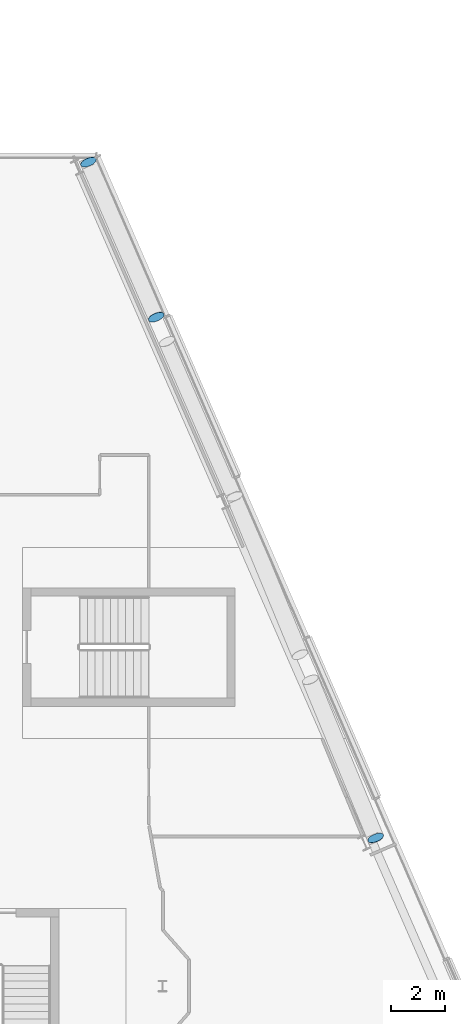
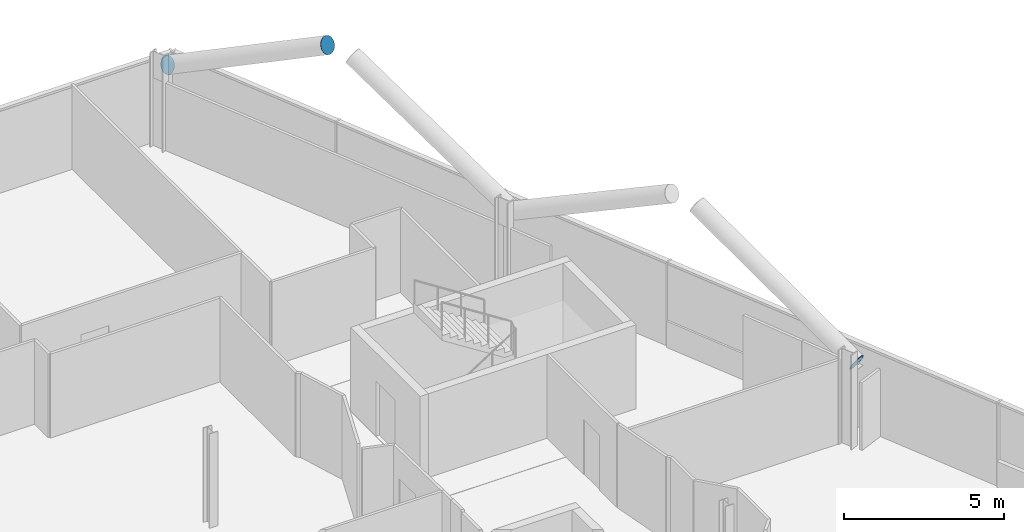
# One storey, part 25 of 28: 3 discrete accessories.
"""IFC4 building model written with IfcOpenShell, lengths in metres."""

from ifc_helpers import new_model, si_unit, direction, frame, origin, origin_2d, place, context, subcontext, project, spatial, circle, extrude, material, material_profile, profile_set, type_object, element, save


model = new_model("IFC4")

# Units and contexts
model_context = context("Model", 3, precision=1e-05, world=origin(), true_north=direction((0.0, 1.0)))
body_context = subcontext(model_context, "Body", "Model", "MODEL_VIEW")
ifc_project = project(units=[si_unit("LENGTHUNIT", "METRE"), si_unit("AREAUNIT", "SQUARE_METRE"), si_unit("VOLUMEUNIT", "CUBIC_METRE"), si_unit("PLANEANGLEUNIT", "RADIAN"), si_unit("MASSUNIT", "GRAM", prefix="KILO")], contexts=[model_context])

# Site, building, storey
site_placement = place(None, origin())
site = spatial("IfcSite", under=ifc_project, at=site_placement, CompositionType="ELEMENT")
building_placement = place(site_placement, origin())
building = spatial("IfcBuilding", under=site, at=building_placement, Name="Wharfspan Tower", CompositionType="ELEMENT")
storey_placement = place(building_placement, frame((0.0, 0.0, 250.300049)))
storey = spatial("IfcBuildingStorey", under=building, at=storey_placement, Name="L63", CompositionType="ELEMENT", Elevation=250.300049)

# Discrete accessories
ifc_material = material(Name="Steel S460NH", Category="steel")
ifc_material_profile = material_profile(ifc_material, circle(Radius=0.304932, at=origin_2d()))
ifc_profile_set = profile_set([ifc_material_profile], Name="Steel S460NH")
discrete_accessory_type = type_object("IfcDiscreteAccessoryType", Name="End plate CHS 610x25", PredefinedType="BRACKET", material=ifc_profile_set)
for number, where, z_axis, x_axis, name in (
    (1, (79.830322, 16.934814, 2.895264), (-0.338259, 0.821486, 0.459066), (-0.924676, -0.380749, 0.0), "End plate CHS 610x25"),
    (2, (69.281006, 41.761719, 2.895264), (0.345075, -0.81339, 0.468316), (0.920586, 0.390551, -2e-06), "End plate CHS 610x25"),
    (3, (71.769775, 36.06958, 6.233398), (0.345075, -0.81339, 0.468316), (0.920586, 0.390551, -2e-06), "End plate CHS 610x25"),
):
    element("IfcDiscreteAccessory", number, at=place(storey_placement, frame(where, z_axis=z_axis, x_axis=x_axis)), inside=storey, type_object=discrete_accessory_type, Name=name, PredefinedType="BRACKET", context=body_context, shape_type="SweptSolid", body=[
        extrude(circle(Radius=0.304932, at=origin_2d()), origin(), (0.0, 0.0, 1.0), 0.01001),
    ])

save(model, "model.ifc")
